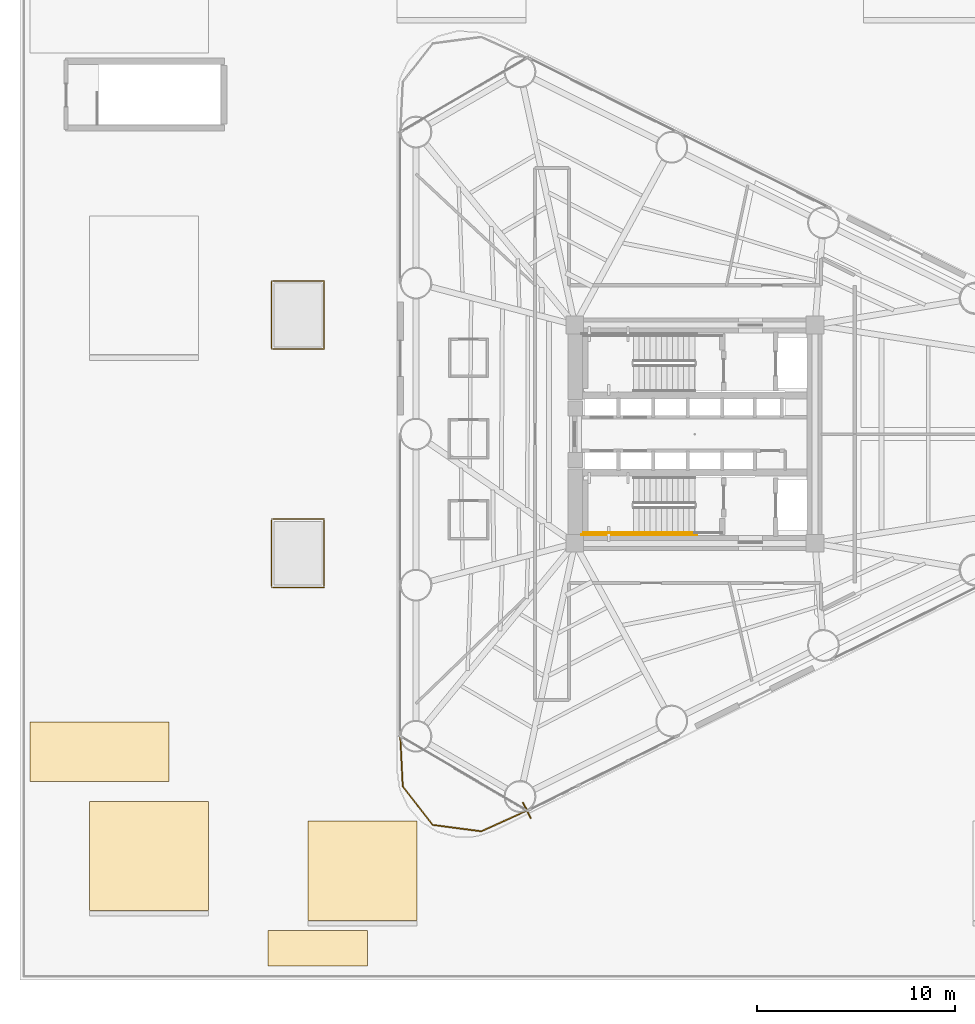
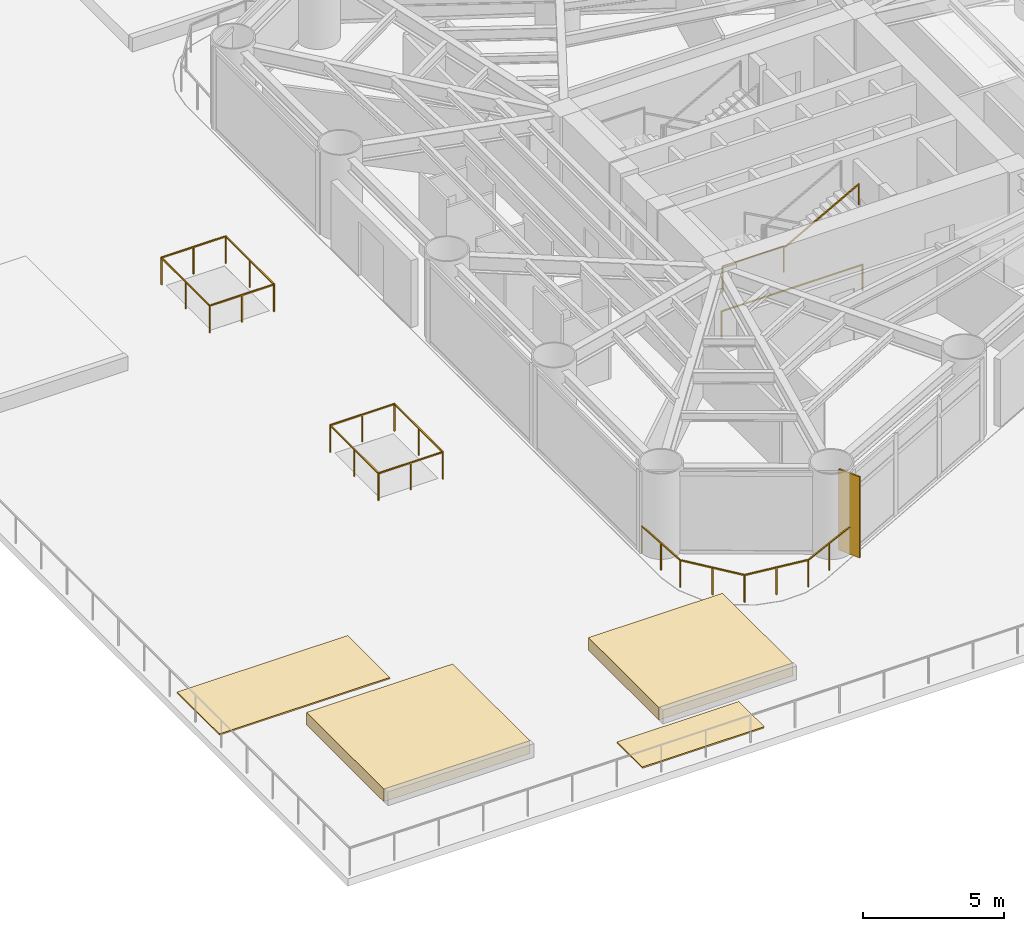
# One storey, part 9 of 13: 6 railings, 5 coverings.
"""IFC4 building model written with IfcOpenShell, lengths in metres."""

from ifc_helpers import new_model, si_unit, direction, frame, origin, origin_2d, place, context, subcontext, project, spatial, polyline, rectangle, outline, extrude, source, transform, mapped, material, layer, layer_set, type_object, element, save


model = new_model("IFC4")

# Units and contexts
model_context = context("Model", 3, precision=1e-05, world=origin(), true_north=direction((0.0, 1.0)))
body_context = subcontext(model_context, "Body", "Model", "MODEL_VIEW")
ifc_project = project(units=[si_unit("LENGTHUNIT", "METRE"), si_unit("AREAUNIT", "SQUARE_METRE"), si_unit("VOLUMEUNIT", "CUBIC_METRE"), si_unit("PLANEANGLEUNIT", "RADIAN"), si_unit("MASSUNIT", "GRAM", prefix="KILO")], contexts=[model_context])

# Site, building, storey
site_placement = place(None, origin())
site = spatial("IfcSite", under=ifc_project, at=site_placement, CompositionType="ELEMENT")
building_placement = place(site_placement, origin())
building = spatial("IfcBuilding", under=site, at=building_placement, Name="Yunling Apex Tower", CompositionType="ELEMENT")
storey_placement = place(building_placement, frame((0.0, 0.0, 20.10009765625)))
storey = spatial("IfcBuildingStorey", under=building, at=storey_placement, Name="L06", CompositionType="ELEMENT", Elevation=20.10009765625)

# Coverings
ifc_material_1 = material(Name="Vegetated roof soil substrate")
ifc_layer_1 = layer(ifc_material_1, 0.550048828125)
ifc_layer_set_1 = layer_set([ifc_layer_1], Name="Vegetated roof soil substrate")
covering_type_1 = type_object("IfcCoveringType", Name="CV-PLN-1", PredefinedType="FLOORING", material=ifc_layer_set_1)
covering_1_placement = place(storey_placement, origin())
element("IfcCovering", 1, at=covering_1_placement, inside=storey, type_object=covering_type_1, Name="CV-PLN-BED-01", PredefinedType="FLOORING", context=body_context, shape_type="SweptSolid", body=[
    extrude(outline(polyline([(-30.5, -24.0), (-24.5, -24.0), (-24.5, -18.5), (-30.5, -18.5), (-30.5, -24.0)])), origin(), (0.0, 0.0, 1.0), 0.5498046875),
])
covering_2_placement = place(storey_placement, origin())
element("IfcCovering", 2, at=covering_2_placement, inside=storey, type_object=covering_type_1, Name="CV-PLN-BED-05", PredefinedType="FLOORING", context=body_context, shape_type="SweptSolid", body=[
    extrude(outline(polyline([(-19.5, -24.5), (-14.0, -24.5), (-14.0, -19.5), (-19.5, -19.5), (-19.5, -24.5)])), origin(), (0.0, 0.0, 1.0), 0.5498046875),
])
ifc_material_2 = material(Name="Waterproof EPDM roof membrane")
ifc_layer_2 = layer(ifc_material_2, 0.06005859375)
ifc_layer_set_2 = layer_set([ifc_layer_2], Name="Waterproof EPDM roof membrane")
covering_type_2 = type_object("IfcCoveringType", Name="CV-ROF-1", PredefinedType="ROOFING", material=ifc_layer_set_2)
covering_3_placement = place(storey_placement, origin())
element("IfcCovering", 3, at=covering_3_placement, inside=storey, type_object=covering_type_2, Name="CV-ROF-POD-3", PredefinedType="ROOFING", context=body_context, shape_type="SweptSolid", body=[
    extrude(outline(polyline([(-33.5, -17.5), (-26.5, -17.5), (-26.5, -14.5), (-33.5, -14.5), (-33.5, -17.5)])), origin(), (0.0, 0.0, 1.0), 0.059814453125),
])
covering_4_placement = place(storey_placement, origin())
element("IfcCovering", 4, at=covering_4_placement, inside=storey, type_object=covering_type_2, Name="CV-ROF-POD-5", PredefinedType="ROOFING", context=body_context, shape_type="SweptSolid", body=[
    extrude(outline(polyline([(-21.5, -26.800048828125), (-16.5, -26.800048828125), (-16.5, -25.0), (-21.5, -25.0), (-21.5, -26.800048828125)])), origin(), (0.0, 0.0, 1.0), 0.059814453125),
])

# Railings
ifc_material_3 = material(Name="Bronze anodised aluminium", Category="aluminium")
railing_type_1 = type_object("IfcRailingType", Name="RL-BAL-1200", PredefinedType="BALUSTRADE", material=ifc_material_3)
railing_1_placement = place(storey_placement, frame((-21.320068359375, -7.719970703125, 0.0)))
element("IfcRailing", 5, at=railing_1_placement, inside=storey, type_object=railing_type_1, Name="RL-SK-POD-01", PredefinedType="BALUSTRADE", context=body_context, shape_type="SweptSolid", body=[
    extrude(rectangle(XDim=0.0439453125, YDim=0.0439453125, at=origin_2d()), origin(), (0.0, 0.0, 1.0), 1.199951171875),
    extrude(rectangle(XDim=0.0439453125, YDim=0.0439453125, at=origin_2d()), frame((2.64013671875, 0.0, 0.0)), (0.0, 0.0, 1.0), 1.199951171875),
    extrude(rectangle(XDim=0.050048828125, YDim=0.050048828125, at=origin_2d()), frame((0.038330078125, 0.0, 1.1748046875), z_axis=(1.0, 0.0, 0.0), x_axis=(0.0, 1.0, 0.0)), (0.0, 0.0, 1.0), 2.5634765625),
    extrude(rectangle(XDim=0.0439453125, YDim=0.0439453125, at=origin_2d()), frame((1.320068359375, 0.0, 0.0)), (0.0, 0.0, 1.0), 1.14599609375),
    extrude(rectangle(XDim=0.0439453125, YDim=0.0439453125, at=origin_2d()), frame((2.64013671875, 3.43994140625, 0.0)), (0.0, 0.0, 1.0), 1.199951171875),
    extrude(rectangle(XDim=0.050048828125, YDim=0.050048828125, at=origin_2d()), frame((2.64013671875, 0.038330078125, 1.1748046875), z_axis=(0.0, 1.0, 0.0), x_axis=(-1.0, 0.0, 0.0)), (0.0, 0.0, 1.0), 3.36328125),
    extrude(rectangle(XDim=0.0439453125, YDim=0.0439453125, at=origin_2d()), frame((2.64013671875, 1.719970703125, 0.0)), (0.0, 0.0, 1.0), 1.14599609375),
    extrude(rectangle(XDim=0.0439453125, YDim=0.0439453125, at=origin_2d()), frame((0.0, 3.43994140625, 0.0)), (0.0, 0.0, 1.0), 1.199951171875),
    extrude(rectangle(XDim=0.050048828125, YDim=0.050048828125, at=origin_2d()), frame((2.601806640625, 3.43994140625, 1.1748046875), z_axis=(-1.0, 0.0, 0.0), x_axis=(0.0, -1.0, 0.0)), (0.0, 0.0, 1.0), 2.5634765625),
    extrude(rectangle(XDim=0.0439453125, YDim=0.0439453125, at=origin_2d()), frame((1.320068359375, 3.43994140625, 0.0)), (0.0, 0.0, 1.0), 1.14599609375),
    extrude(rectangle(XDim=0.050048828125, YDim=0.050048828125, at=origin_2d()), frame((0.0, 3.401611328125, 1.1748046875), z_axis=(0.0, -1.0, 0.0), x_axis=(1.0, 0.0, 0.0)), (0.0, 0.0, 1.0), 3.36328125),
    extrude(rectangle(XDim=0.0439453125, YDim=0.0439453125, at=origin_2d()), frame((0.0, 1.719970703125, 0.0)), (0.0, 0.0, 1.0), 1.14599609375),
])
railing_2_placement = place(storey_placement, frame((-21.320068359375, 4.280029296875, 0.0)))
element("IfcRailing", 6, at=railing_2_placement, inside=storey, type_object=railing_type_1, Name="RL-SK-POD-03", PredefinedType="BALUSTRADE", context=body_context, shape_type="SweptSolid", body=[
    extrude(rectangle(XDim=0.0439453125, YDim=0.0439453125, at=origin_2d()), origin(), (0.0, 0.0, 1.0), 1.199951171875),
    extrude(rectangle(XDim=0.0439453125, YDim=0.0439453125, at=origin_2d()), frame((2.64013671875, 0.0, 0.0)), (0.0, 0.0, 1.0), 1.199951171875),
    extrude(rectangle(XDim=0.050048828125, YDim=0.050048828125, at=origin_2d()), frame((0.038330078125, 0.0, 1.1748046875), z_axis=(1.0, 0.0, 0.0), x_axis=(0.0, 1.0, 0.0)), (0.0, 0.0, 1.0), 2.5634765625),
    extrude(rectangle(XDim=0.0439453125, YDim=0.0439453125, at=origin_2d()), frame((1.320068359375, 0.0, 0.0)), (0.0, 0.0, 1.0), 1.14599609375),
    extrude(rectangle(XDim=0.0439453125, YDim=0.0439453125, at=origin_2d()), frame((2.64013671875, 3.43994140625, 0.0)), (0.0, 0.0, 1.0), 1.199951171875),
    extrude(rectangle(XDim=0.050048828125, YDim=0.050048828125, at=origin_2d()), frame((2.64013671875, 0.038330078125, 1.1748046875), z_axis=(0.0, 1.0, 0.0), x_axis=(-1.0, 0.0, 0.0)), (0.0, 0.0, 1.0), 3.36328125),
    extrude(rectangle(XDim=0.0439453125, YDim=0.0439453125, at=origin_2d()), frame((2.64013671875, 1.719970703125, 0.0)), (0.0, 0.0, 1.0), 1.14599609375),
    extrude(rectangle(XDim=0.0439453125, YDim=0.0439453125, at=origin_2d()), frame((0.0, 3.43994140625, 0.0)), (0.0, 0.0, 1.0), 1.199951171875),
    extrude(rectangle(XDim=0.050048828125, YDim=0.050048828125, at=origin_2d()), frame((2.601806640625, 3.43994140625, 1.1748046875), z_axis=(-1.0, 0.0, 0.0), x_axis=(0.0, -1.0, 0.0)), (0.0, 0.0, 1.0), 2.5634765625),
    extrude(rectangle(XDim=0.0439453125, YDim=0.0439453125, at=origin_2d()), frame((1.320068359375, 3.43994140625, 0.0)), (0.0, 0.0, 1.0), 1.14599609375),
    extrude(rectangle(XDim=0.050048828125, YDim=0.050048828125, at=origin_2d()), frame((0.0, 3.401611328125, 1.1748046875), z_axis=(0.0, -1.0, 0.0), x_axis=(1.0, 0.0, 0.0)), (0.0, 0.0, 1.0), 3.36328125),
    extrude(rectangle(XDim=0.0439453125, YDim=0.0439453125, at=origin_2d()), frame((0.0, 1.719970703125, 0.0)), (0.0, 0.0, 1.0), 1.14599609375),
])
railing_3_placement = place(storey_placement, frame((-8.45947265625, -18.965087890625, 0.0)))
element("IfcRailing", 7, at=railing_3_placement, inside=storey, type_object=railing_type_1, Name="RL-CRNSILL-L06-3", PredefinedType="BALUSTRADE", context=body_context, shape_type="SweptSolid", body=[
    extrude(rectangle(XDim=0.0439453125, YDim=0.0439453125, at=origin_2d()), origin(), (0.0, 0.0, 1.0), 1.199951171875),
    extrude(rectangle(XDim=0.0439453125, YDim=0.0439453125, at=origin_2d()), frame((-2.30712890625, -1.04296875, 0.0)), (0.0, 0.0, 1.0), 1.199951171875),
    extrude(rectangle(XDim=0.050048828125, YDim=0.050048828125, at=origin_2d()), frame((-0.034912109375, -0.015869140625, 1.1748046875), z_axis=(-0.911216522497, -0.411927723186, 0.0), x_axis=(0.411927723186, -0.911216522497, 0.0)), (0.0, 0.0, 1.0), 2.455322265625),
    extrude(rectangle(XDim=0.0439453125, YDim=0.0439453125, at=origin_2d()), frame((-1.153564453125, -0.521484375, 0.0)), (0.0, 0.0, 1.0), 1.14599609375),
    extrude(rectangle(XDim=0.0439453125, YDim=0.0439453125, at=origin_2d()), frame((-4.741943359375, -0.723388671875, 0.0)), (0.0, 0.0, 1.0), 1.199951171875),
    extrude(rectangle(XDim=0.050048828125, YDim=0.050048828125, at=origin_2d()), frame((-2.34521484375, -1.0380859375, 1.1748046875), z_axis=(-0.991495866646, 0.130138182035, 0.0), x_axis=(-0.130138182035, -0.991495866646, 0.0)), (0.0, 0.0, 1.0), 2.379150390625),
    extrude(rectangle(XDim=0.0439453125, YDim=0.0439453125, at=origin_2d()), frame((-3.5244140625, -0.88330078125, 0.0)), (0.0, 0.0, 1.0), 1.14599609375),
    extrude(rectangle(XDim=0.0439453125, YDim=0.0439453125, at=origin_2d()), frame((-6.258544921875, 1.21826171875, 0.0)), (0.0, 0.0, 1.0), 1.199951171875),
    extrude(rectangle(XDim=0.050048828125, YDim=0.050048828125, at=origin_2d()), frame((-4.765625, -0.693115234375, 1.1748046875), z_axis=(-0.615565197226, 0.788085964832, 0.0), x_axis=(-0.788085964832, -0.615565197226, 0.0)), (0.0, 0.0, 1.0), 2.38720703125),
    extrude(rectangle(XDim=0.0439453125, YDim=0.0439453125, at=origin_2d()), frame((-5.500244140625, 0.24755859375, 0.0)), (0.0, 0.0, 1.0), 1.14599609375),
    extrude(rectangle(XDim=0.0439453125, YDim=0.0439453125, at=origin_2d()), frame((-6.382568359375, 3.74609375, 0.0)), (0.0, 0.0, 1.0), 1.199951171875),
    extrude(rectangle(XDim=0.050048828125, YDim=0.050048828125, at=origin_2d()), frame((-6.260498046875, 1.256591796875, 1.1748046875), z_axis=(-0.049004218115, 0.998798571588, 0.0), x_axis=(-0.998798571588, -0.049004218115, 0.0)), (0.0, 0.0, 1.0), 2.4541015625),
    extrude(rectangle(XDim=0.0439453125, YDim=0.0439453125, at=origin_2d()), frame((-6.320556640625, 2.482177734375, 0.0)), (0.0, 0.0, 1.0), 1.14599609375),
])
ifc_material_4 = material(Name="Steel Q355B", Category="steel")
railing_type_2 = type_object("IfcRailingType", Name="RL-GRD-1150", PredefinedType="GUARDRAIL", material=ifc_material_4)
railing_4_placement = place(storey_placement, frame((-3.090087890625, -4.9599609375, 1.849853515625)))
element("IfcRailing", 8, at=railing_4_placement, inside=storey, type_object=railing_type_2, Name="L06 ST-2 stair guard 3", PredefinedType="GUARDRAIL", context=body_context, shape_type="SweptSolid", body=[
    extrude(rectangle(XDim=0.0439453125, YDim=0.0439453125, at=origin_2d()), origin(), (0.0, 0.0, 1.0), 1.14990234375),
    extrude(rectangle(XDim=0.0439453125, YDim=0.0439453125, at=origin_2d()), frame((-2.510009765625, 0.0, 0.0)), (0.0, 0.0, 1.0), 1.14990234375),
    extrude(rectangle(XDim=0.050048828125, YDim=0.050048828125, at=origin_2d()), frame((-0.038330078125, 0.0, 1.125), z_axis=(-1.0, 0.0, 0.0), x_axis=(0.0, -1.0, 0.0)), (0.0, 0.0, 1.0), 2.433349609375),
])
railing_5_placement = place(storey_placement, frame((0.090087890625, -5.06005859375, 0.0)))
element("IfcRailing", 9, at=railing_5_placement, inside=storey, type_object=railing_type_2, Name="L06 ST-2 stair guard 7", PredefinedType="GUARDRAIL", context=body_context, shape_type="SweptSolid", body=[
    extrude(rectangle(XDim=0.0439453125, YDim=0.0439453125, at=origin_2d()), origin(), (0.0, 0.0, 1.0), 1.14990234375),
    extrude(rectangle(XDim=0.0439453125, YDim=0.0439453125, at=origin_2d()), frame((-5.7900390625, 0.0, 0.0)), (0.0, 0.0, 1.0), 1.14990234375),
    extrude(rectangle(XDim=0.050048828125, YDim=0.050048828125, at=origin_2d()), frame((-0.038330078125, 0.0, 1.125), z_axis=(-1.0, 0.0, 0.0), x_axis=(0.0, -1.0, 0.0)), (0.0, 0.0, 1.0), 5.71337890625),
])
ifc_material_5 = material(Name="Silver anodised aluminium", Category="aluminium")
railing_type_3 = type_object("IfcRailingType", Name="RL-HND-900", PredefinedType="HANDRAIL", material=ifc_material_5)
railing_6_placement = place(storey_placement, frame((-3.090087890625, -4.9599609375, 2.004150390625)))
element("IfcRailing", 10, at=railing_6_placement, inside=storey, type_object=railing_type_3, Name="L06 ST-2 stair handrail 2", PredefinedType="HANDRAIL", context=body_context, shape_type="SweptSolid", body=[
    extrude(rectangle(XDim=0.0439453125, YDim=0.0439453125, at=origin_2d()), origin(), (0.0, 0.0, 1.0), 0.919921875),
    extrude(rectangle(XDim=0.0439453125, YDim=0.0439453125, at=origin_2d()), frame((3.080078125, 0.0, 1.69580078125)), (0.0, 0.0, 1.0), 0.919921875),
    extrude(rectangle(XDim=0.050048828125, YDim=0.050048828125, at=origin_2d()), frame((0.03369140625, 0.0, 0.913330078125), z_axis=(0.876004717809, 0.0, 0.482302534076), x_axis=(0.0, 1.0, 0.0)), (0.0, 0.0, 1.0), 3.439453125),
])

# Covering
ifc_layer_3 = layer(ifc_material_3, 0.0400390625)
ifc_layer_set_3 = layer_set([ifc_layer_3], Name="Bronze anodised aluminium")
covering_type_3 = type_object("IfcCoveringType", Name="CV-CLD-1", PredefinedType="CLADDING", material=ifc_layer_set_3)
shared_shape = source(origin(), body_context, "Body", "SweptSolid", [
    extrude(rectangle(XDim=0.06005859375, YDim=0.89990234375, at=origin_2d()), origin(), (0.0, 0.0, 1.0), 3.514892578125),
])
covering_5_placement = place(storey_placement, frame((-8.464111328125, -18.9560546875, 0.0), z_axis=(0.0, 0.0, 1.0), x_axis=(0.895245648325, 0.445572922377, 0.0)))
element("IfcCovering", 11, at=covering_5_placement, inside=storey, type_object=covering_type_3, Name="CV-CLD-L06", PredefinedType="CLADDING", context=body_context, shape_type="MappedRepresentation", body=[
    mapped(shared_shape, transform((0.0, 0.0, 0.0), scale=1.0)),
])

save(model, "model.ifc")
